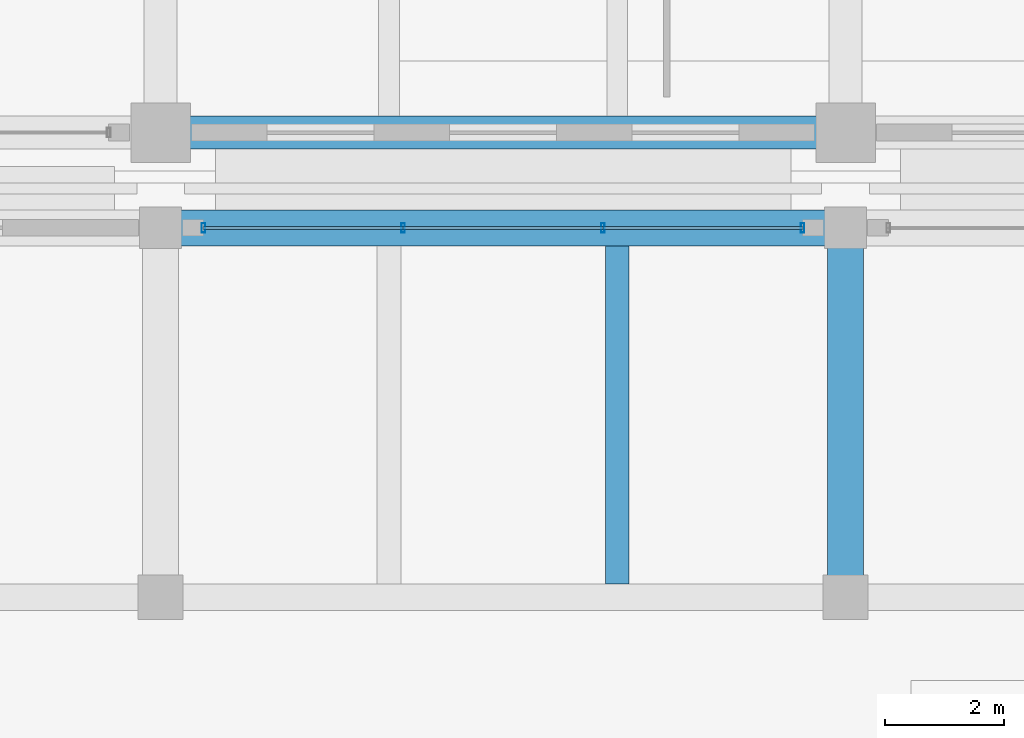
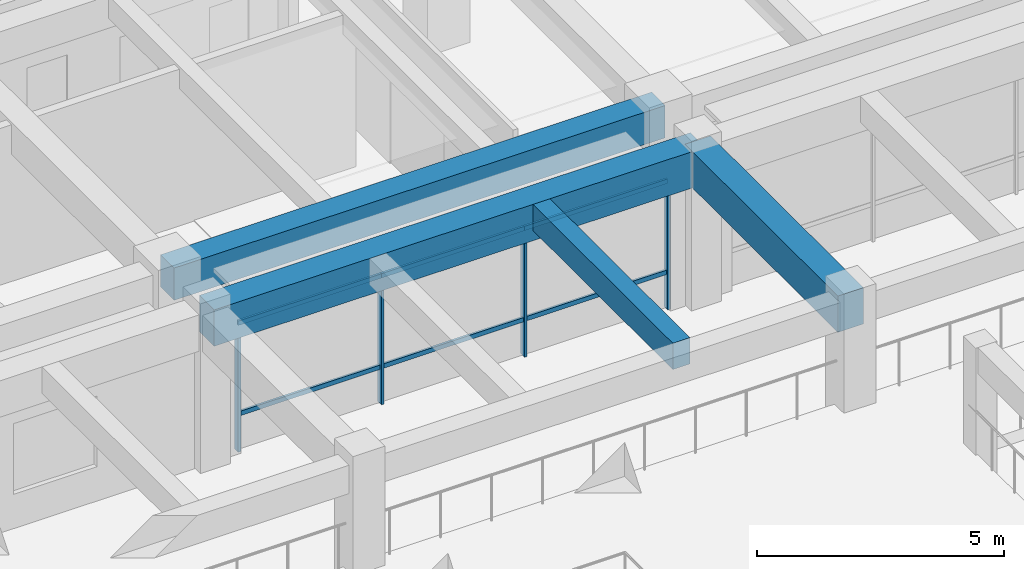
# One storey, part 31 of 109: 10 members, 4 beams, 1 element without a shape of its own.
"""IFC4 building model written with IfcOpenShell, lengths in metres."""

from ifc_helpers import new_model, si_unit, direction, frame, origin, origin_2d, place, context, subcontext, project, spatial, rectangle, hollow_rectangle, extrude, material, material_profile, profile_set, type_object, element, aggregate, save


model = new_model("IFC4")

# Units and contexts
model_context = context("Model", 3, precision=1e-05, world=origin(), true_north=direction((0.0, 1.0)))
body_context = subcontext(model_context, "Body", "Model", "MODEL_VIEW")
ifc_project = project(units=[si_unit("LENGTHUNIT", "METRE"), si_unit("AREAUNIT", "SQUARE_METRE"), si_unit("VOLUMEUNIT", "CUBIC_METRE"), si_unit("PLANEANGLEUNIT", "RADIAN"), si_unit("MASSUNIT", "GRAM", prefix="KILO")], contexts=[model_context])

# Site, building, storey
site_placement = place(None, origin())
site = spatial("IfcSite", under=ifc_project, at=site_placement, CompositionType="ELEMENT")
building_placement = place(site_placement, origin())
building = spatial("IfcBuilding", under=site, at=building_placement, Name="Ologun Quay Terminus", CompositionType="ELEMENT")
storey_placement = place(building_placement, origin())
storey = spatial("IfcBuildingStorey", under=building, at=storey_placement, Name="L00", CompositionType="ELEMENT", Elevation=0.0)

# Curtain wall, members
ifc_material_1 = material(Name="Aluminium 6063-T6", Category="aluminium")
curtain_wall_type = type_object("IfcCurtainWallType", Name="Ticket Hall Grand Portal Curtain Wall 10700x7700", PredefinedType="USERDEFINED", material=ifc_material_1)
curtain_wall_placement = place(storey_placement, origin())
curtain_wall = element("IfcCurtainWall", 1, at=curtain_wall_placement, inside=storey, type_object=curtain_wall_type, Name="CW-01 Curtain Wall CW-L00-084", ObjectType="UNITISED CURTAIN WALL", PredefinedType="USERDEFINED")
ifc_material_2 = material(Name="Aluminium 6063-T6", Category="aluminium")
ifc_material_profile_1 = material_profile(ifc_material_2, hollow_rectangle(XDim=0.06005859375, YDim=0.159912109375, WallThickness=0.00390625, at=origin_2d()), Name="ALU 160x60x4")
ifc_profile_set_1 = profile_set([ifc_material_profile_1], Name="Aluminium 6063-T6")
member_type_1 = type_object("IfcMemberType", Name="Courtyard Screen Mullion 160x65", PredefinedType="MULLION", material=ifc_profile_set_1)
member_1_placement = place(storey_placement, frame((46.719970703125, 84.199951171875, 0.0), z_axis=(0.0, 0.0, 1.0), x_axis=(1.0, 0.0, 0.0)))
member_1 = element("IfcMember", 2, at=member_1_placement, type_object=member_type_1, Name="CW-L00-084 Mullion 1", PredefinedType="MULLION", context=body_context, shape_type="SweptSolid", body=[
    extrude(hollow_rectangle(XDim=0.06005859375, YDim=0.159912109375, WallThickness=0.00390625, at=origin_2d()), origin(), (0.0, 0.0, 1.0), 3.85009765625),
])
member_2_placement = place(storey_placement, frame((50.0732421875, 84.199951171875, 0.0), z_axis=(0.0, 0.0, 1.0), x_axis=(1.0, 0.0, 0.0)))
member_2 = element("IfcMember", 3, at=member_2_placement, type_object=member_type_1, Name="CW-L00-084 Mullion 2", PredefinedType="MULLION", context=body_context, shape_type="SweptSolid", body=[
    extrude(hollow_rectangle(XDim=0.06005859375, YDim=0.159912109375, WallThickness=0.00390625, at=origin_2d()), origin(), (0.0, 0.0, 1.0), 3.85009765625),
])
member_3_placement = place(storey_placement, frame((53.4267578125, 84.199951171875, 0.0), z_axis=(0.0, 0.0, 1.0), x_axis=(1.0, 0.0, 0.0)))
member_3 = element("IfcMember", 4, at=member_3_placement, type_object=member_type_1, Name="CW-L00-084 Mullion 3", PredefinedType="MULLION", context=body_context, shape_type="SweptSolid", body=[
    extrude(hollow_rectangle(XDim=0.06005859375, YDim=0.159912109375, WallThickness=0.00390625, at=origin_2d()), origin(), (0.0, 0.0, 1.0), 3.85009765625),
])
member_4_placement = place(storey_placement, frame((56.780029296875, 84.199951171875, 0.0), z_axis=(0.0, 0.0, 1.0), x_axis=(1.0, 0.0, 0.0)))
member_4 = element("IfcMember", 5, at=member_4_placement, type_object=member_type_1, Name="CW-L00-084 Mullion 4", PredefinedType="MULLION", context=body_context, shape_type="SweptSolid", body=[
    extrude(hollow_rectangle(XDim=0.06005859375, YDim=0.159912109375, WallThickness=0.00390625, at=origin_2d()), origin(), (0.0, 0.0, 1.0), 3.85009765625),
])
ifc_material_3 = material(Name="Aluminium 6063-T6", Category="aluminium")
ifc_material_profile_2 = material_profile(ifc_material_3, hollow_rectangle(XDim=0.054931640625, YDim=0.110107421875, WallThickness=0.00390625, at=origin_2d()), Name="ALU 110x55x4")
ifc_profile_set_2 = profile_set([ifc_material_profile_2], Name="Aluminium 6063-T6")
member_type_2 = type_object("IfcMemberType", Name="Courtyard Screen Transom 110x55", PredefinedType="USERDEFINED", material=ifc_profile_set_2)
member_5_placement = place(storey_placement, frame((46.719970703125, 84.199951171875, 0.89990234375), z_axis=(1.0, 0.0, 0.0), x_axis=(0.0, 1.0, 0.0)))
member_5 = element("IfcMember", 6, at=member_5_placement, type_object=member_type_2, Name="CW-L00-084 Transom B1-1", ObjectType="TRANSOM", PredefinedType="USERDEFINED", context=body_context, shape_type="SweptSolid", body=[
    extrude(hollow_rectangle(XDim=0.054931640625, YDim=0.110107421875, WallThickness=0.00390625, at=origin_2d()), origin(), (0.0, 0.0, 1.0), 3.353271484375),
])
member_6_placement = place(storey_placement, frame((46.719970703125, 84.199951171875, 3.14990234375), z_axis=(1.0, 0.0, 0.0), x_axis=(0.0, 1.0, 0.0)))
member_6 = element("IfcMember", 7, at=member_6_placement, type_object=member_type_2, Name="CW-L00-084 Transom B1-2", ObjectType="TRANSOM", PredefinedType="USERDEFINED", context=body_context, shape_type="SweptSolid", body=[
    extrude(hollow_rectangle(XDim=0.054931640625, YDim=0.110107421875, WallThickness=0.00390625, at=origin_2d()), origin(), (0.0, 0.0, 1.0), 3.353271484375),
])
member_7_placement = place(storey_placement, frame((50.0732421875, 84.199951171875, 0.89990234375), z_axis=(1.0, 0.0, 0.0), x_axis=(0.0, 1.0, 0.0)))
member_7 = element("IfcMember", 8, at=member_7_placement, type_object=member_type_2, Name="CW-L00-084 Transom B2-1", ObjectType="TRANSOM", PredefinedType="USERDEFINED", context=body_context, shape_type="SweptSolid", body=[
    extrude(hollow_rectangle(XDim=0.054931640625, YDim=0.110107421875, WallThickness=0.00390625, at=origin_2d()), origin(), (0.0, 0.0, 1.0), 3.353515625),
])
member_8_placement = place(storey_placement, frame((50.0732421875, 84.199951171875, 3.14990234375), z_axis=(1.0, 0.0, 0.0), x_axis=(0.0, 1.0, 0.0)))
member_8 = element("IfcMember", 9, at=member_8_placement, type_object=member_type_2, Name="CW-L00-084 Transom B2-2", ObjectType="TRANSOM", PredefinedType="USERDEFINED", context=body_context, shape_type="SweptSolid", body=[
    extrude(hollow_rectangle(XDim=0.054931640625, YDim=0.110107421875, WallThickness=0.00390625, at=origin_2d()), origin(), (0.0, 0.0, 1.0), 3.353515625),
])
member_9_placement = place(storey_placement, frame((53.4267578125, 84.199951171875, 0.89990234375), z_axis=(1.0, 0.0, 0.0), x_axis=(0.0, 1.0, 0.0)))
member_9 = element("IfcMember", 10, at=member_9_placement, type_object=member_type_2, Name="CW-L00-084 Transom B3-1", ObjectType="TRANSOM", PredefinedType="USERDEFINED", context=body_context, shape_type="SweptSolid", body=[
    extrude(hollow_rectangle(XDim=0.054931640625, YDim=0.110107421875, WallThickness=0.00390625, at=origin_2d()), origin(), (0.0, 0.0, 1.0), 3.353271484375),
])
member_10_placement = place(storey_placement, frame((53.4267578125, 84.199951171875, 3.14990234375), z_axis=(1.0, 0.0, 0.0), x_axis=(0.0, 1.0, 0.0)))
member_10 = element("IfcMember", 11, at=member_10_placement, type_object=member_type_2, Name="CW-L00-084 Transom B3-2", ObjectType="TRANSOM", PredefinedType="USERDEFINED", context=body_context, shape_type="SweptSolid", body=[
    extrude(hollow_rectangle(XDim=0.054931640625, YDim=0.110107421875, WallThickness=0.00390625, at=origin_2d()), origin(), (0.0, 0.0, 1.0), 3.353271484375),
])
aggregate(curtain_wall, [member_1, member_2, member_3, member_4, member_5, member_6, member_7, member_8, member_9, member_10])

# Beams
ifc_material_4 = material(Name="Concrete C40/50", Category="concrete")
ifc_material_profile_3 = material_profile(ifc_material_4, rectangle(XDim=0.550048828125, YDim=0.800048828125, at=origin_2d()), Name="RC 550x800")
ifc_profile_set_3 = profile_set([ifc_material_profile_3], Name="Concrete C40/50")
beam_type_1 = type_object("IfcBeamType", Name="Courtyard Wing Primary Girder 550x800", PredefinedType="BEAM", material=ifc_profile_set_3)
beam_1_placement = place(storey_placement, frame((46.0, 85.800048828125, 3.550048828125), z_axis=(1.0, 0.0, 0.0), x_axis=(0.0, 1.0, 0.0)))
element("IfcBeam", 12, at=beam_1_placement, inside=storey, type_object=beam_type_1, Name="B4 Beam 5/G2 L00", PredefinedType="BEAM", context=body_context, shape_type="SweptSolid", body=[
    extrude(rectangle(XDim=0.550048828125, YDim=0.800048828125, at=origin_2d()), origin(), (0.0, 0.0, 1.0), 11.5),
])
ifc_material_5 = material(Name="Concrete C40/50", Category="concrete")
ifc_material_profile_4 = material_profile(ifc_material_5, rectangle(XDim=0.60009765625, YDim=0.89990234375, at=origin_2d()), Name="RC 600x900")
ifc_profile_set_4 = profile_set([ifc_material_profile_4], Name="Concrete C40/50")
beam_type_2 = type_object("IfcBeamType", Name="Station Frame Girder 600x900", PredefinedType="BEAM", material=ifc_profile_set_4)
beam_2_placement = place(storey_placement, frame((46.0, 84.199951171875, 3.449951171875), z_axis=(1.0, 0.0, 0.0), x_axis=(0.0, 1.0, 0.0)))
element("IfcBeam", 13, at=beam_2_placement, inside=storey, type_object=beam_type_2, Name="B3 Beam 5/G1 L00", PredefinedType="BEAM", context=body_context, shape_type="SweptSolid", body=[
    extrude(rectangle(XDim=0.60009765625, YDim=0.89990234375, at=origin_2d()), origin(), (0.0, 0.0, 1.0), 11.5),
])
beam_3_placement = place(storey_placement, frame((57.5, 78.0, 3.449951171875), z_axis=(0.0, 1.0, 0.0), x_axis=(-1.0, 0.0, 0.0)))
element("IfcBeam", 14, at=beam_3_placement, inside=storey, type_object=beam_type_2, Name="B3 Beam 6/F L00", PredefinedType="BEAM", context=body_context, shape_type="SweptSolid", body=[
    extrude(rectangle(XDim=0.60009765625, YDim=0.89990234375, at=origin_2d()), origin(), (0.0, 0.0, 1.0), 6.199951171875),
])
ifc_material_6 = material(Name="Concrete C40/50", Category="concrete")
ifc_material_profile_5 = material_profile(ifc_material_6, rectangle(XDim=0.39990234375, YDim=0.64990234375, at=origin_2d()), Name="RC 400x650")
ifc_profile_set_5 = profile_set([ifc_material_profile_5], Name="Concrete C40/50")
beam_type_3 = type_object("IfcBeamType", Name="Station Secondary Joist 400x650", PredefinedType="JOIST", material=ifc_profile_set_5)
beam_4_placement = place(storey_placement, frame((53.666748046875, 78.22509765625, 3.574951171875), z_axis=(0.0, 1.0, 0.0), x_axis=(-1.0, 0.0, 0.0)))
element("IfcBeam", 15, at=beam_4_placement, inside=storey, type_object=beam_type_3, Name="J1 Beam 5/F L00", PredefinedType="JOIST", context=body_context, shape_type="SweptSolid", body=[
    extrude(rectangle(XDim=0.39990234375, YDim=0.64990234375, at=origin_2d()), origin(), (0.0, 0.0, 1.0), 5.6748046875),
])

save(model, "model.ifc")
